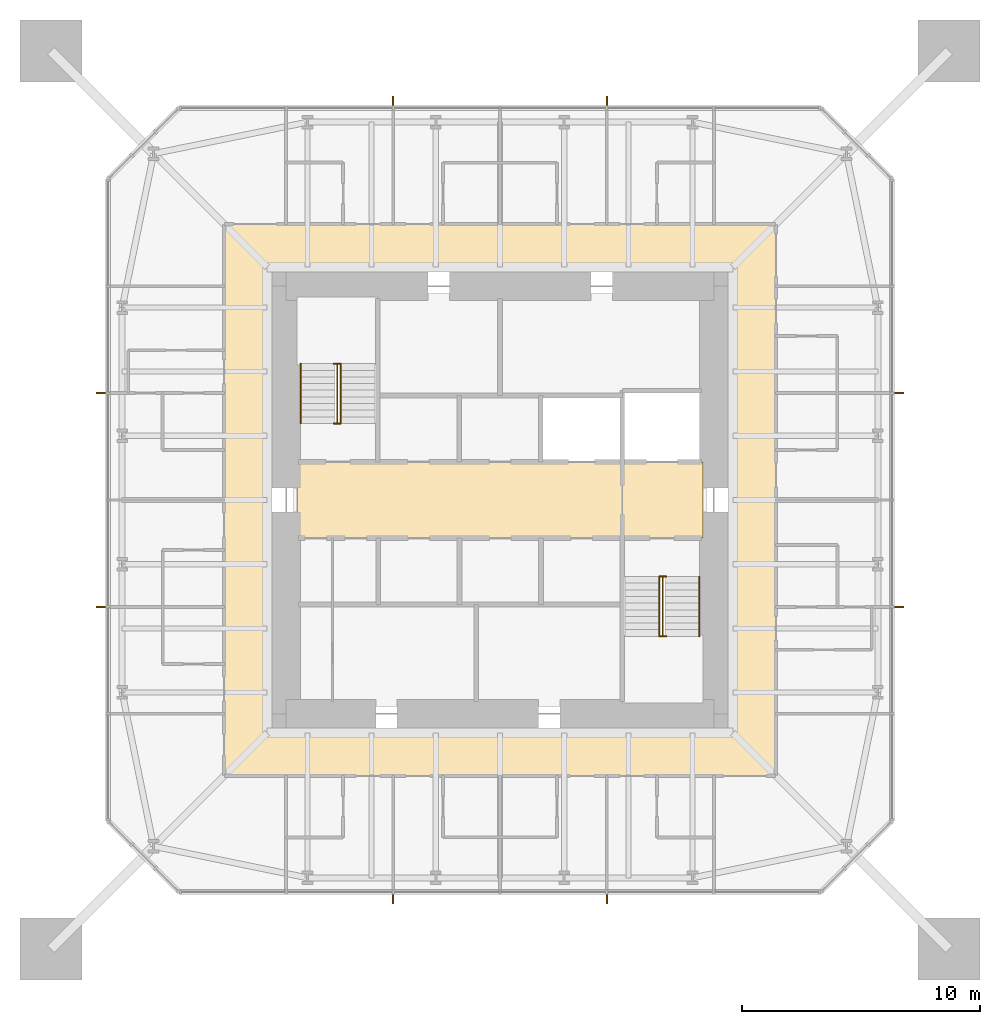
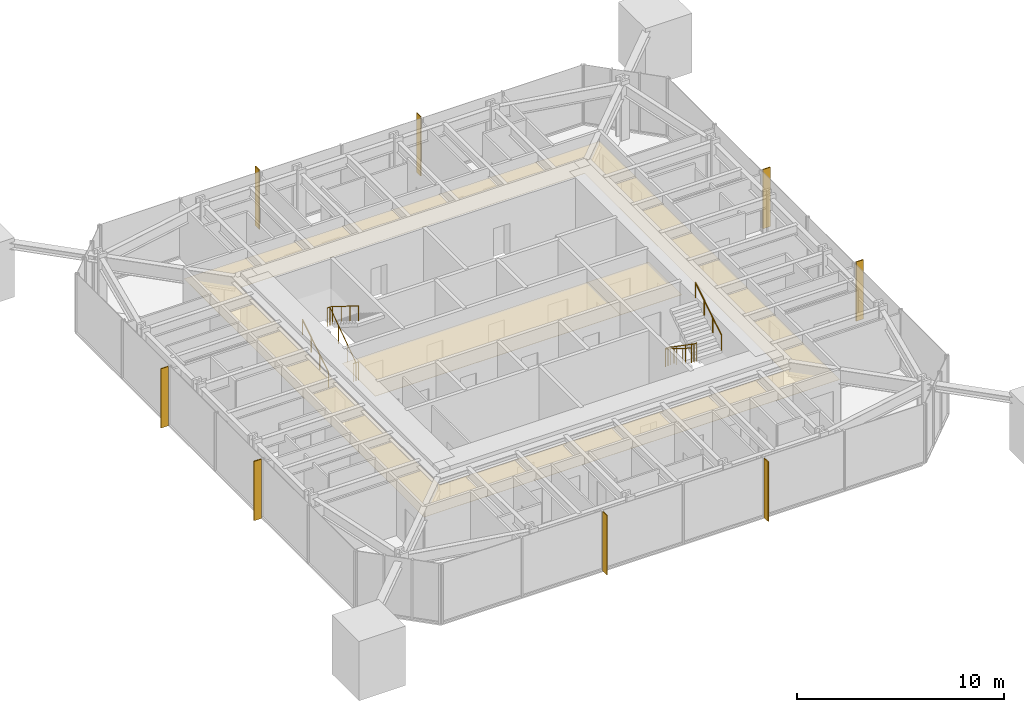
# One storey, part 10 of 10: 8 shading devices, 6 railings, 3 coverings.
"""IFC4 building model written with IfcOpenShell, lengths in metres."""

from ifc_helpers import new_model, si_unit, direction, frame, origin, origin_2d, place, context, subcontext, project, spatial, polyline, rectangle, circle, outline, extrude, material, layer, layer_set, constituent, constituent_set, type_object, element, save


model = new_model("IFC4")

# Units and contexts
model_context = context("Model", 3, precision=1e-05, world=origin(), true_north=direction((0.0, 1.0)))
body_context = subcontext(model_context, "Body", "Model", "MODEL_VIEW")
ifc_project = project(units=[si_unit("LENGTHUNIT", "METRE"), si_unit("AREAUNIT", "SQUARE_METRE"), si_unit("VOLUMEUNIT", "CUBIC_METRE"), si_unit("PLANEANGLEUNIT", "RADIAN"), si_unit("MASSUNIT", "GRAM", prefix="KILO")], contexts=[model_context])

# Site, building, storey
site_placement = place(None, origin())
site = spatial("IfcSite", under=ifc_project, at=site_placement, CompositionType="ELEMENT")
building_placement = place(site_placement, origin())
building = spatial("IfcBuilding", under=site, at=building_placement, Name="Iwan Alto Co-Living Towers", CompositionType="ELEMENT")
storey_placement = place(building_placement, frame((0.0, 0.0, 218.5)))
storey = spatial("IfcBuildingStorey", under=building, at=storey_placement, Name="L59", CompositionType="ELEMENT", Elevation=218.5)

# Coverings
ifc_material_1 = material(Name="Mineral fibre acoustic tiles on steel grid", Category="steel")
ifc_layer_1 = layer(ifc_material_1, 0.02001953125)
ifc_layer_set_1 = layer_set([ifc_layer_1], Name="ACOUSTIC TILE CEILING 20")
covering_type_1 = type_object("IfcCoveringType", Name="ACOUSTIC TILE CEILING 20", PredefinedType="CEILING", material=ifc_layer_set_1)
covering_1_placement = place(storey_placement, frame((0.0, 0.0, 2.60009765625)))
element("IfcCovering", 1, at=covering_1_placement, inside=storey, type_object=covering_type_1, Name="Ceiling Lift lobby L59", PredefinedType="CEILING", context=body_context, shape_type="SweptSolid", body=[
    extrude(outline(polyline([(-8.550048828125, -1.60009765625), (-8.550048828125, 1.60009765625), (5.14990234375, 1.60009765625), (5.14990234375, -1.60009765625), (-8.550048828125, -1.60009765625)])), origin(), (0.0, 0.0, 1.0), 0.02001953125),
])
covering_2_placement = place(storey_placement, frame((0.0, 0.0, 2.60009765625)))
element("IfcCovering", 2, at=covering_2_placement, inside=storey, type_object=covering_type_1, Name="Ceiling Firefighting lobby L59", PredefinedType="CEILING", context=body_context, shape_type="SweptSolid", body=[
    extrude(outline(polyline([(5.14990234375, -1.60009765625), (5.14990234375, 1.60009765625), (8.550048828125, 1.60009765625), (8.550048828125, -1.60009765625), (5.14990234375, -1.60009765625)])), origin(), (0.0, 0.0, 1.0), 0.02001953125),
])

# Shading devices
ifc_material_2 = material(Name="Aluminium 6063-T6 bronze anodised", Category="aluminium")
ifc_layer_2 = layer(ifc_material_2, 0.050048828125)
ifc_layer_set_2 = layer_set([ifc_layer_2], Name="BRONZE FIN 50X400")
shading_device_type = type_object("IfcShadingDeviceType", Name="BRONZE FIN 50X400", PredefinedType="USERDEFINED", material=ifc_layer_set_2)
for number, where, z_axis, x_axis, name in (
    (3, (-4.5, -16.800048828125, 0.0), (0.0, 0.0, 1.0), (1.0, 0.0, 0.0), "Bronze fin L59"),
    (4, (4.5, -16.800048828125, 0.0), (0.0, 0.0, 1.0), (1.0, 0.0, 0.0), "Bronze fin L59"),
    (5, (16.800048828125, -4.5, 0.0), (0.0, 0.0, 1.0), (0.0, 1.0, 0.0), "Bronze fin L59"),
    (6, (16.800048828125, 4.5, 0.0), (0.0, 0.0, 1.0), (0.0, 1.0, 0.0), "Bronze fin L59"),
    (7, (4.5, 16.800048828125, 0.0), (0.0, 0.0, 1.0), (-1.0, 0.0, 0.0), "Bronze fin L59"),
    (8, (-4.5, 16.800048828125, 0.0), (0.0, 0.0, 1.0), (-1.0, 0.0, 0.0), "Bronze fin L59"),
    (9, (-16.800048828125, 4.5, 0.0), (0.0, 0.0, 1.0), (0.0, -1.0, 0.0), "Bronze fin L59"),
    (10, (-16.800048828125, -4.5, 0.0), (0.0, 0.0, 1.0), (0.0, -1.0, 0.0), "Bronze fin L59"),
):
    element("IfcShadingDevice", number, at=place(storey_placement, frame(where, z_axis=z_axis, x_axis=x_axis)), inside=storey, type_object=shading_device_type, Name=name, ObjectType="LOUVER", PredefinedType="USERDEFINED", context=body_context, shape_type="SweptSolid", body=[
        extrude(rectangle(XDim=0.050048828125, YDim=0.39990234375, at=origin_2d()), origin(), (0.0, 0.0, 1.0), 3.5),
    ])

# Railings
ifc_material_3 = material(Name="Steel ASTM A500 Gr C", Category="steel")
ifc_constituent_1 = constituent(ifc_material_3, Name="Rails and posts", Category="Framing")
ifc_material_4 = material(Name="Steel ASTM A36", Category="steel")
ifc_constituent_2 = constituent(ifc_material_4, Name="Bar infill", Category="Infill")
ifc_constituent_set = constituent_set(constituents=[ifc_constituent_1, ifc_constituent_2], Name="STAIR GUARD 1100")
railing_type_1 = type_object("IfcRailingType", Name="STAIR GUARD 1100", PredefinedType="GUARDRAIL", material=ifc_constituent_set)
railing_1_placement = place(storey_placement, frame((-6.85009765625, 3.219970703125, 0.0)))
element("IfcRailing", 11, at=railing_1_placement, inside=storey, type_object=railing_type_1, Name="Stair T1-S1 well guard L59", PredefinedType="GUARDRAIL", context=body_context, shape_type="SweptSolid", body=[
    extrude(circle(Radius=0.02392578125, at=origin_2d()), frame((0.0, 0.0, 1.076171875), z_axis=(0.0, 0.821372036852, 0.570392826987), x_axis=(-1.0, 0.0, 0.0)), (0.0, 0.0, 1.0), 3.068115234375),
    extrude(circle(Radius=0.02392578125, at=origin_2d()), frame((-0.14990234375, 0.0, 1.076171875), z_axis=(1.0, 0.0, 0.0), x_axis=(0.0, 1.0, 0.0)), (0.0, 0.0, 1.0), 0.300048828125),
    extrude(circle(Radius=0.02392578125, at=origin_2d()), frame((-0.14990234375, 2.52001953125, 2.826171875), z_axis=(1.0, 0.0, 0.0), x_axis=(0.0, 1.0, 0.0)), (0.0, 0.0, 1.0), 0.300048828125),
    extrude(circle(Radius=0.02099609375, at=origin_2d()), origin(), (0.0, 0.0, 1.0), 1.052001953125),
    extrude(circle(Radius=0.02099609375, at=origin_2d()), frame((0.0, 0.840087890625, 0.583251953125)), (0.0, 0.0, 1.0), 1.052001953125),
    extrude(circle(Radius=0.02099609375, at=origin_2d()), frame((0.0, 1.679931640625, 1.166748046875)), (0.0, 0.0, 1.0), 1.052001953125),
    extrude(circle(Radius=0.02099609375, at=origin_2d()), frame((0.0, 2.52001953125, 1.75)), (0.0, 0.0, 1.0), 1.052001953125),
    extrude(circle(Radius=0.02099609375, at=origin_2d()), frame((-0.14990234375, 0.0, 0.0)), (0.0, 0.0, 1.0), 1.052001953125),
    extrude(circle(Radius=0.02099609375, at=origin_2d()), frame((0.150146484375, 0.0, 0.0)), (0.0, 0.0, 1.0), 1.052001953125),
    extrude(circle(Radius=0.02099609375, at=origin_2d()), frame((-0.14990234375, 2.52001953125, 1.75)), (0.0, 0.0, 1.0), 1.052001953125),
    extrude(circle(Radius=0.02099609375, at=origin_2d()), frame((0.150146484375, 2.52001953125, 1.75)), (0.0, 0.0, 1.0), 1.052001953125),
])
railing_2_placement = place(storey_placement, frame((6.85009765625, -3.219970703125, 0.0)))
element("IfcRailing", 12, at=railing_2_placement, inside=storey, type_object=railing_type_1, Name="Stair T1-S2 well guard L59", PredefinedType="GUARDRAIL", context=body_context, shape_type="SweptSolid", body=[
    extrude(circle(Radius=0.02392578125, at=origin_2d()), frame((0.0, 0.0, 1.076171875), z_axis=(0.0, -0.821372036852, 0.570392826987), x_axis=(1.0, 0.0, 0.0)), (0.0, 0.0, 1.0), 3.068115234375),
    extrude(circle(Radius=0.02392578125, at=origin_2d()), frame((-0.150146484375, 0.0, 1.076171875), z_axis=(1.0, 0.0, 0.0), x_axis=(0.0, 1.0, 0.0)), (0.0, 0.0, 1.0), 0.300048828125),
    extrude(circle(Radius=0.02392578125, at=origin_2d()), frame((-0.150146484375, -2.52001953125, 2.826171875), z_axis=(1.0, 0.0, 0.0), x_axis=(0.0, 1.0, 0.0)), (0.0, 0.0, 1.0), 0.300048828125),
    extrude(circle(Radius=0.02099609375, at=origin_2d()), origin(), (0.0, 0.0, 1.0), 1.052001953125),
    extrude(circle(Radius=0.02099609375, at=origin_2d()), frame((0.0, -0.840087890625, 0.583251953125)), (0.0, 0.0, 1.0), 1.052001953125),
    extrude(circle(Radius=0.02099609375, at=origin_2d()), frame((0.0, -1.679931640625, 1.166748046875)), (0.0, 0.0, 1.0), 1.052001953125),
    extrude(circle(Radius=0.02099609375, at=origin_2d()), frame((0.0, -2.52001953125, 1.75)), (0.0, 0.0, 1.0), 1.052001953125),
    extrude(circle(Radius=0.02099609375, at=origin_2d()), frame((-0.150146484375, 0.0, 0.0)), (0.0, 0.0, 1.0), 1.052001953125),
    extrude(circle(Radius=0.02099609375, at=origin_2d()), frame((0.14990234375, 0.0, 0.0)), (0.0, 0.0, 1.0), 1.052001953125),
    extrude(circle(Radius=0.02099609375, at=origin_2d()), frame((-0.150146484375, -2.52001953125, 1.75)), (0.0, 0.0, 1.0), 1.052001953125),
    extrude(circle(Radius=0.02099609375, at=origin_2d()), frame((0.14990234375, -2.52001953125, 1.75)), (0.0, 0.0, 1.0), 1.052001953125),
])
ifc_material_5 = material(Name="Steel ASTM A500 Gr C", Category="steel")
railing_type_2 = type_object("IfcRailingType", Name="STAIR HANDRAIL 900", PredefinedType="HANDRAIL", material=ifc_material_5)
railing_3_placement = place(storey_placement, frame((-8.3798828125, 3.219970703125, 0.175048828125)))
element("IfcRailing", 13, at=railing_3_placement, inside=storey, type_object=railing_type_2, Name="Stair T1-S1 handrail 1 L59", PredefinedType="HANDRAIL", context=body_context, shape_type="SweptSolid", body=[
    extrude(circle(Radius=0.02392578125, at=origin_2d()), frame((0.0, 0.0, 0.8759765625), z_axis=(0.0, 0.848007534815, 0.529984170421), x_axis=(-1.0, 0.0, 0.0)), (0.0, 0.0, 1.0), 2.9716796875),
    extrude(circle(Radius=0.02099609375, at=origin_2d()), origin(), (0.0, 0.0, 1.0), 0.851806640625),
    extrude(circle(Radius=0.02099609375, at=origin_2d()), frame((0.0, 0.840087890625, 0.52490234375)), (0.0, 0.0, 1.0), 0.851806640625),
    extrude(circle(Radius=0.02099609375, at=origin_2d()), frame((0.0, 1.679931640625, 1.050048828125)), (0.0, 0.0, 1.0), 0.851806640625),
    extrude(circle(Radius=0.02099609375, at=origin_2d()), frame((0.0, 2.52001953125, 1.574951171875)), (0.0, 0.0, 1.0), 0.851806640625),
])
for number, where, name in (
    (14, (-6.699951171875, 5.739990234375, 1.925048828125), "Stair T1-S1 handrail 2 L59"),
    (15, (6.699951171875, -3.219970703125, 0.175048828125), "Stair T1-S2 handrail 1 L59"),
):
    element("IfcRailing", number, at=place(storey_placement, frame(where)), inside=storey, type_object=railing_type_2, Name=name, PredefinedType="HANDRAIL", context=body_context, shape_type="SweptSolid", body=[
        extrude(circle(Radius=0.02392578125, at=origin_2d()), frame((0.0, 0.0, 0.8759765625), z_axis=(0.0, -0.848007534815, 0.529984170421), x_axis=(1.0, 0.0, 0.0)), (0.0, 0.0, 1.0), 2.9716796875),
        extrude(circle(Radius=0.02099609375, at=origin_2d()), origin(), (0.0, 0.0, 1.0), 0.851806640625),
        extrude(circle(Radius=0.02099609375, at=origin_2d()), frame((0.0, -0.840087890625, 0.52490234375)), (0.0, 0.0, 1.0), 0.851806640625),
        extrude(circle(Radius=0.02099609375, at=origin_2d()), frame((0.0, -1.679931640625, 1.050048828125)), (0.0, 0.0, 1.0), 0.851806640625),
        extrude(circle(Radius=0.02099609375, at=origin_2d()), frame((0.0, -2.52001953125, 1.574951171875)), (0.0, 0.0, 1.0), 0.851806640625),
    ])
railing_4_placement = place(storey_placement, frame((8.3798828125, -5.739990234375, 1.925048828125)))
element("IfcRailing", 16, at=railing_4_placement, inside=storey, type_object=railing_type_2, Name="Stair T1-S2 handrail 2 L59", PredefinedType="HANDRAIL", context=body_context, shape_type="SweptSolid", body=[
    extrude(circle(Radius=0.02392578125, at=origin_2d()), frame((0.0, 0.0, 0.8759765625), z_axis=(0.0, 0.848007534815, 0.529984170421), x_axis=(-1.0, 0.0, 0.0)), (0.0, 0.0, 1.0), 2.9716796875),
    extrude(circle(Radius=0.02099609375, at=origin_2d()), origin(), (0.0, 0.0, 1.0), 0.851806640625),
    extrude(circle(Radius=0.02099609375, at=origin_2d()), frame((0.0, 0.840087890625, 0.52490234375)), (0.0, 0.0, 1.0), 0.851806640625),
    extrude(circle(Radius=0.02099609375, at=origin_2d()), frame((0.0, 1.679931640625, 1.050048828125)), (0.0, 0.0, 1.0), 0.851806640625),
    extrude(circle(Radius=0.02099609375, at=origin_2d()), frame((0.0, 2.52001953125, 1.574951171875)), (0.0, 0.0, 1.0), 0.851806640625),
])

# Covering
ifc_material_6 = material(Name="Gypsum plasterboard on steel grid", Category="steel")
ifc_layer_3 = layer(ifc_material_6, 0.014892578125)
ifc_layer_set_3 = layer_set([ifc_layer_3], Name="SUSPENDED PLASTERBOARD CEILING 15")
covering_type_2 = type_object("IfcCoveringType", Name="SUSPENDED PLASTERBOARD CEILING 15", PredefinedType="CEILING", material=ifc_layer_set_3)
covering_3_placement = place(storey_placement, frame((0.0, 0.0, 2.60009765625)))
element("IfcCovering", 17, at=covering_3_placement, inside=storey, type_object=covering_type_2, Name="Ceiling Corridor L59", PredefinedType="CEILING", context=body_context, shape_type="SweptSolid", body=[
    extrude(outline(polyline([(-11.60009765625, 11.60009765625), (11.60009765625, 11.60009765625), (11.60009765625, -11.60009765625), (-11.60009765625, -11.60009765625), (-11.60009765625, 11.60009765625)]), holes=[polyline([(-9.60009765625, 9.60009765625), (-9.60009765625, -9.60009765625), (9.60009765625, -9.60009765625), (9.60009765625, 9.60009765625), (-9.60009765625, 9.60009765625)])]), origin(), (0.0, 0.0, 1.0), 0.014892578125),
])

save(model, "model.ifc")
